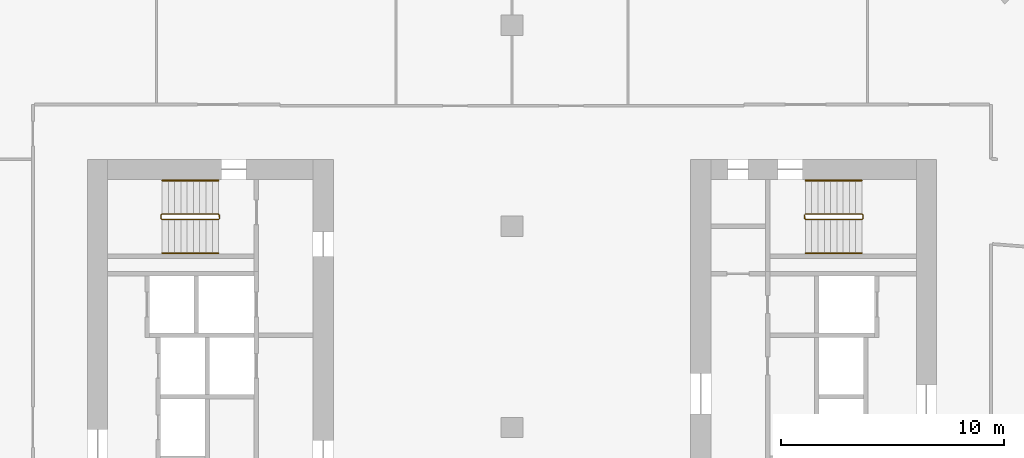
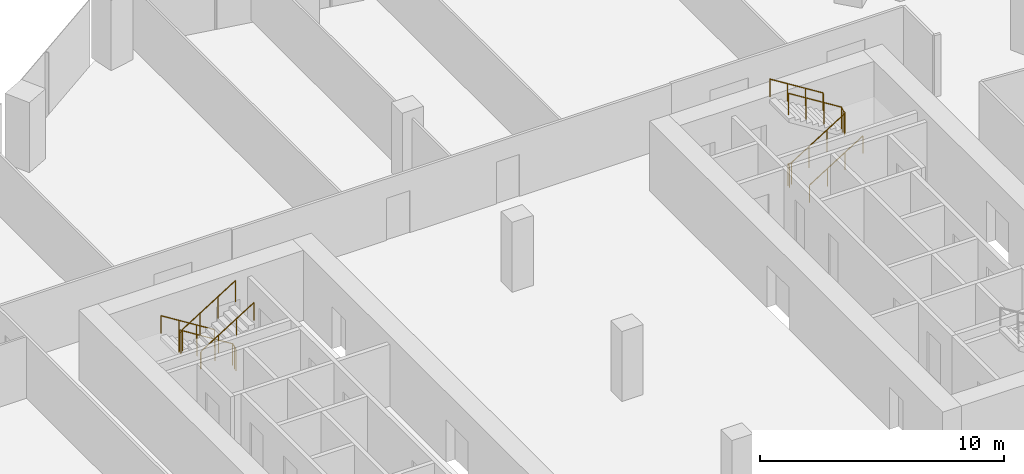
# One storey, part 32 of 32: 6 railings.
"""IFC4 building model written with IfcOpenShell, lengths in metres."""

from ifc_helpers import new_model, si_unit, direction, frame, origin, origin_2d, place, context, subcontext, project, spatial, circle, extrude, material, type_object, element, save


model = new_model("IFC4")

# Units and contexts
model_context = context("Model", 3, precision=1e-05, world=origin(), true_north=direction((0.0, 1.0)))
body_context = subcontext(model_context, "Body", "Model", "MODEL_VIEW")
ifc_project = project(units=[si_unit("LENGTHUNIT", "METRE"), si_unit("AREAUNIT", "SQUARE_METRE"), si_unit("VOLUMEUNIT", "CUBIC_METRE"), si_unit("PLANEANGLEUNIT", "RADIAN"), si_unit("MASSUNIT", "GRAM", prefix="KILO")], contexts=[model_context])

# Site, building, storey
site_placement = place(None, origin())
site = spatial("IfcSite", under=ifc_project, at=site_placement, CompositionType="ELEMENT")
building_placement = place(site_placement, origin())
building = spatial("IfcBuilding", under=site, at=building_placement, Name="Orlundy Tower", CompositionType="ELEMENT")
storey_placement = place(building_placement, frame((0.0, 0.0, 149.10009765625)))
storey = spatial("IfcBuildingStorey", under=building, at=storey_placement, Name="L38", CompositionType="ELEMENT", Elevation=149.10009765625)

# Railings
ifc_material_1 = material(Name="Steel balustrade", Category="steel")
railing_type_1 = type_object("IfcRailingType", Name="Stair Guard 1100", PredefinedType="GUARDRAIL", material=ifc_material_1)
railing_1_placement = place(storey_placement, frame((-13.090087890625, 9.5, 0.0)))
element("IfcRailing", 1, at=railing_1_placement, inside=storey, type_object=railing_type_1, Name="L38 ST-W1 stair guard 1", PredefinedType="GUARDRAIL", context=body_context, shape_type="SweptSolid", body=[
    extrude(circle(Radius=0.02392578125, at=origin_2d()), frame((0.0, 0.0, 1.076171875), z_axis=(0.0, -1.0, 0.0), x_axis=(1.0, 0.0, 0.0)), (0.0, 0.0, 1.0), 0.14990234375),
    extrude(circle(Radius=0.02392578125, at=origin_2d()), frame((0.0, -0.14990234375, 1.076171875), z_axis=(-0.184313129624, 0.739963005698, 0.646902945152), x_axis=(-0.970351222016, -0.241699205484, 0.0)), (0.0, 0.0, 1.0), 0.270263671875),
    extrude(circle(Radius=0.02392578125, at=origin_2d()), frame((-0.0498046875, 0.050048828125, 1.2509765625), z_axis=(-0.847970611238, 0.0, 0.530043245855), x_axis=(0.0, -1.0, 0.0)), (0.0, 0.0, 1.0), 2.971923828125),
    extrude(circle(Radius=0.02392578125, at=origin_2d()), frame((-2.56982421875, 0.050048828125, 2.826171875), z_axis=(-0.707106781187, -0.707106781187, 0.0), x_axis=(0.707106781187, -0.707106781187, 0.0)), (0.0, 0.0, 1.0), 0.07080078125),
    extrude(circle(Radius=0.02392578125, at=origin_2d()), frame((-2.619873046875, 0.0, 2.826171875), z_axis=(0.0, -1.0, 0.0), x_axis=(1.0, 0.0, 0.0)), (0.0, 0.0, 1.0), 0.14990234375),
    extrude(circle(Radius=0.02392578125, at=origin_2d()), frame((-2.619873046875, -0.14990234375, 2.826171875), z_axis=(0.265383341853, -0.265383341853, 0.926899867156), x_axis=(0.707106781187, 0.707106781187, 0.0)), (0.0, 0.0, 1.0), 0.1884765625),
    extrude(circle(Radius=0.02392578125, at=origin_2d()), frame((-2.56982421875, -0.199951171875, 3.0009765625), z_axis=(0.847970611238, 0.0, 0.530043245855), x_axis=(0.0, 1.0, 0.0)), (0.0, 0.0, 1.0), 2.971923828125),
    extrude(circle(Radius=0.02099609375, at=origin_2d()), origin(), (0.0, 0.0, 1.0), 1.052001953125),
    extrude(circle(Radius=0.02099609375, at=origin_2d()), frame((0.0, -0.14990234375, 0.0)), (0.0, 0.0, 1.0), 1.052001953125),
    extrude(circle(Radius=0.02099609375, at=origin_2d()), frame((-0.0498046875, 0.050048828125, 0.1748046875)), (0.0, 0.0, 1.0), 1.052001953125),
    extrude(circle(Radius=0.02099609375, at=origin_2d()), frame((-0.889892578125, 0.050048828125, 0.699951171875)), (0.0, 0.0, 1.0), 1.052001953125),
    extrude(circle(Radius=0.02099609375, at=origin_2d()), frame((-1.729736328125, 0.050048828125, 1.224853515625)), (0.0, 0.0, 1.0), 1.052001953125),
    extrude(circle(Radius=0.02099609375, at=origin_2d()), frame((-2.56982421875, 0.050048828125, 1.75)), (0.0, 0.0, 1.0), 1.052001953125),
    extrude(circle(Radius=0.02099609375, at=origin_2d()), frame((-2.619873046875, 0.0, 1.75)), (0.0, 0.0, 1.0), 1.052001953125),
    extrude(circle(Radius=0.02099609375, at=origin_2d()), frame((-2.619873046875, -0.14990234375, 1.75)), (0.0, 0.0, 1.0), 1.052001953125),
    extrude(circle(Radius=0.02099609375, at=origin_2d()), frame((-2.56982421875, -0.199951171875, 1.9248046875)), (0.0, 0.0, 1.0), 1.052001953125),
    extrude(circle(Radius=0.02099609375, at=origin_2d()), frame((-1.729736328125, -0.199951171875, 2.449951171875)), (0.0, 0.0, 1.0), 1.052001953125),
    extrude(circle(Radius=0.02099609375, at=origin_2d()), frame((-0.889892578125, -0.199951171875, 2.974853515625)), (0.0, 0.0, 1.0), 1.052001953125),
    extrude(circle(Radius=0.02099609375, at=origin_2d()), frame((-0.0498046875, -0.199951171875, 3.5)), (0.0, 0.0, 1.0), 1.052001953125),
])
railing_2_placement = place(storey_placement, frame((13.090087890625, 9.35009765625, 0.0)))
element("IfcRailing", 2, at=railing_2_placement, inside=storey, type_object=railing_type_1, Name="L38 ST-E2 stair guard 1", PredefinedType="GUARDRAIL", context=body_context, shape_type="SweptSolid", body=[
    extrude(circle(Radius=0.02392578125, at=origin_2d()), frame((0.0, 0.0, 1.076171875), z_axis=(0.0, 1.0, 0.0), x_axis=(-1.0, 0.0, 0.0)), (0.0, 0.0, 1.0), 0.14990234375),
    extrude(circle(Radius=0.02392578125, at=origin_2d()), frame((0.0, 0.14990234375, 1.076171875), z_axis=(0.184313129624, -0.739963005698, 0.646902945152), x_axis=(0.970351222016, 0.241699205484, 0.0)), (0.0, 0.0, 1.0), 0.270263671875),
    extrude(circle(Radius=0.02392578125, at=origin_2d()), frame((0.0498046875, -0.050048828125, 1.2509765625), z_axis=(0.847970611238, 0.0, 0.530043245855), x_axis=(0.0, 1.0, 0.0)), (0.0, 0.0, 1.0), 2.971923828125),
    extrude(circle(Radius=0.02392578125, at=origin_2d()), frame((2.56982421875, -0.050048828125, 2.826171875), z_axis=(0.707106781187, 0.707106781187, 0.0), x_axis=(-0.707106781187, 0.707106781187, 0.0)), (0.0, 0.0, 1.0), 0.07080078125),
    extrude(circle(Radius=0.02392578125, at=origin_2d()), frame((2.619873046875, 0.0, 2.826171875), z_axis=(0.0, 1.0, 0.0), x_axis=(-1.0, 0.0, 0.0)), (0.0, 0.0, 1.0), 0.14990234375),
    extrude(circle(Radius=0.02392578125, at=origin_2d()), frame((2.619873046875, 0.14990234375, 2.826171875), z_axis=(-0.265383341853, 0.265383341853, 0.926899867156), x_axis=(-0.707106781187, -0.707106781187, 0.0)), (0.0, 0.0, 1.0), 0.1884765625),
    extrude(circle(Radius=0.02392578125, at=origin_2d()), frame((2.56982421875, 0.199951171875, 3.0009765625), z_axis=(-0.847970611238, 0.0, 0.530043245855), x_axis=(0.0, -1.0, 0.0)), (0.0, 0.0, 1.0), 2.971923828125),
    extrude(circle(Radius=0.02099609375, at=origin_2d()), origin(), (0.0, 0.0, 1.0), 1.052001953125),
    extrude(circle(Radius=0.02099609375, at=origin_2d()), frame((0.0, 0.14990234375, 0.0)), (0.0, 0.0, 1.0), 1.052001953125),
    extrude(circle(Radius=0.02099609375, at=origin_2d()), frame((0.0498046875, -0.050048828125, 0.1748046875)), (0.0, 0.0, 1.0), 1.052001953125),
    extrude(circle(Radius=0.02099609375, at=origin_2d()), frame((0.889892578125, -0.050048828125, 0.699951171875)), (0.0, 0.0, 1.0), 1.052001953125),
    extrude(circle(Radius=0.02099609375, at=origin_2d()), frame((1.729736328125, -0.050048828125, 1.224853515625)), (0.0, 0.0, 1.0), 1.052001953125),
    extrude(circle(Radius=0.02099609375, at=origin_2d()), frame((2.56982421875, -0.050048828125, 1.75)), (0.0, 0.0, 1.0), 1.052001953125),
    extrude(circle(Radius=0.02099609375, at=origin_2d()), frame((2.619873046875, 0.0, 1.75)), (0.0, 0.0, 1.0), 1.052001953125),
    extrude(circle(Radius=0.02099609375, at=origin_2d()), frame((2.619873046875, 0.14990234375, 1.75)), (0.0, 0.0, 1.0), 1.052001953125),
    extrude(circle(Radius=0.02099609375, at=origin_2d()), frame((2.56982421875, 0.199951171875, 1.9248046875)), (0.0, 0.0, 1.0), 1.052001953125),
    extrude(circle(Radius=0.02099609375, at=origin_2d()), frame((1.729736328125, 0.199951171875, 2.449951171875)), (0.0, 0.0, 1.0), 1.052001953125),
    extrude(circle(Radius=0.02099609375, at=origin_2d()), frame((0.889892578125, 0.199951171875, 2.974853515625)), (0.0, 0.0, 1.0), 1.052001953125),
    extrude(circle(Radius=0.02099609375, at=origin_2d()), frame((0.0498046875, 0.199951171875, 3.5)), (0.0, 0.0, 1.0), 1.052001953125),
])
ifc_material_2 = material(Name="Steel handrail", Category="steel")
railing_type_2 = type_object("IfcRailingType", Name="Stair Handrail 900", PredefinedType="HANDRAIL", material=ifc_material_2)
railing_3_placement = place(storey_placement, frame((-13.139892578125, 11.050048828125, 0.1748046875)))
element("IfcRailing", 3, at=railing_3_placement, inside=storey, type_object=railing_type_2, Name="L38 ST-W1 stair handrail 1", PredefinedType="HANDRAIL", context=body_context, shape_type="SweptSolid", body=[
    extrude(circle(Radius=0.02392578125, at=origin_2d()), frame((0.0, 0.0, 0.8759765625), z_axis=(-0.847970611238, 0.0, 0.530043245855), x_axis=(0.0, -1.0, 0.0)), (0.0, 0.0, 1.0), 2.971923828125),
    extrude(circle(Radius=0.02099609375, at=origin_2d()), origin(), (0.0, 0.0, 1.0), 0.851806640625),
    extrude(circle(Radius=0.02099609375, at=origin_2d()), frame((-0.840087890625, 0.0, 0.525146484375)), (0.0, 0.0, 1.0), 0.851806640625),
    extrude(circle(Radius=0.02099609375, at=origin_2d()), frame((-1.679931640625, 0.0, 1.050048828125)), (0.0, 0.0, 1.0), 0.851806640625),
    extrude(circle(Radius=0.02099609375, at=origin_2d()), frame((-2.52001953125, 0.0, 1.5751953125)), (0.0, 0.0, 1.0), 0.851806640625),
])
for number, where, name in (
    (4, (-15.659912109375, 7.800048828125, 1.9248046875), "L38 ST-W1 stair handrail 2"),
    (5, (13.139892578125, 7.800048828125, 0.1748046875), "L38 ST-E2 stair handrail 1"),
):
    element("IfcRailing", number, at=place(storey_placement, frame(where)), inside=storey, type_object=railing_type_2, Name=name, PredefinedType="HANDRAIL", context=body_context, shape_type="SweptSolid", body=[
        extrude(circle(Radius=0.02392578125, at=origin_2d()), frame((0.0, 0.0, 0.8759765625), z_axis=(0.847970611238, 0.0, 0.530043245855), x_axis=(0.0, 1.0, 0.0)), (0.0, 0.0, 1.0), 2.971923828125),
        extrude(circle(Radius=0.02099609375, at=origin_2d()), origin(), (0.0, 0.0, 1.0), 0.851806640625),
        extrude(circle(Radius=0.02099609375, at=origin_2d()), frame((0.840087890625, 0.0, 0.525146484375)), (0.0, 0.0, 1.0), 0.851806640625),
        extrude(circle(Radius=0.02099609375, at=origin_2d()), frame((1.679931640625, 0.0, 1.050048828125)), (0.0, 0.0, 1.0), 0.851806640625),
        extrude(circle(Radius=0.02099609375, at=origin_2d()), frame((2.52001953125, 0.0, 1.5751953125)), (0.0, 0.0, 1.0), 0.851806640625),
    ])
railing_4_placement = place(storey_placement, frame((15.659912109375, 11.050048828125, 1.9248046875)))
element("IfcRailing", 6, at=railing_4_placement, inside=storey, type_object=railing_type_2, Name="L38 ST-E2 stair handrail 2", PredefinedType="HANDRAIL", context=body_context, shape_type="SweptSolid", body=[
    extrude(circle(Radius=0.02392578125, at=origin_2d()), frame((0.0, 0.0, 0.8759765625), z_axis=(-0.847970611238, 0.0, 0.530043245855), x_axis=(0.0, -1.0, 0.0)), (0.0, 0.0, 1.0), 2.971923828125),
    extrude(circle(Radius=0.02099609375, at=origin_2d()), origin(), (0.0, 0.0, 1.0), 0.851806640625),
    extrude(circle(Radius=0.02099609375, at=origin_2d()), frame((-0.840087890625, 0.0, 0.525146484375)), (0.0, 0.0, 1.0), 0.851806640625),
    extrude(circle(Radius=0.02099609375, at=origin_2d()), frame((-1.679931640625, 0.0, 1.050048828125)), (0.0, 0.0, 1.0), 0.851806640625),
    extrude(circle(Radius=0.02099609375, at=origin_2d()), frame((-2.52001953125, 0.0, 1.5751953125)), (0.0, 0.0, 1.0), 0.851806640625),
])

save(model, "model.ifc")
